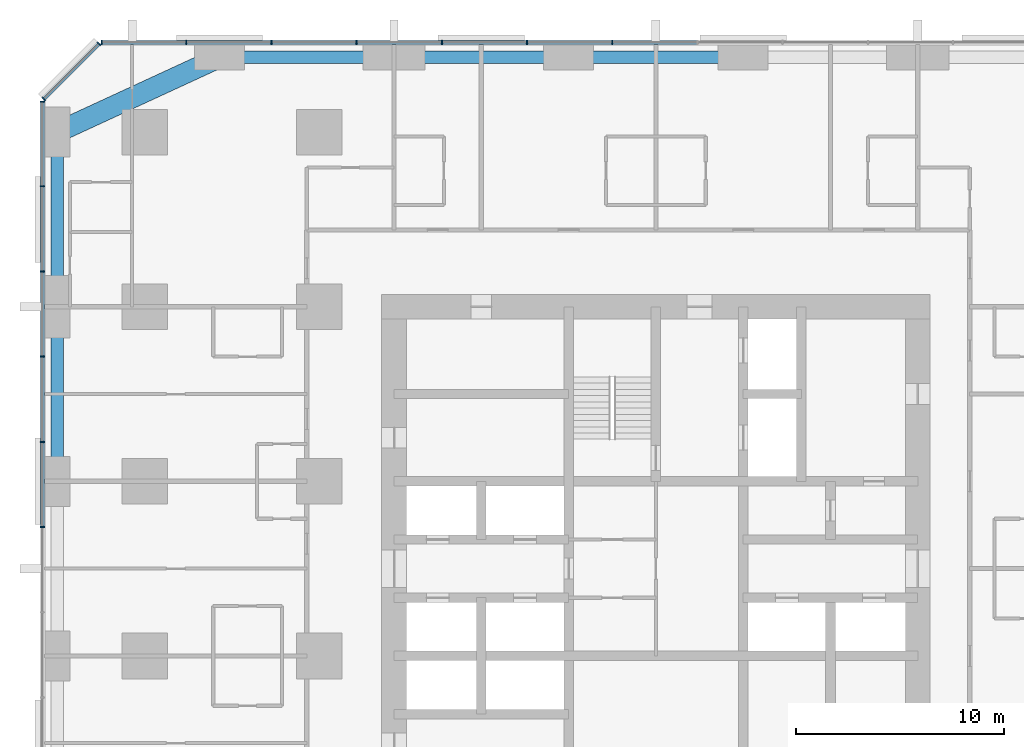
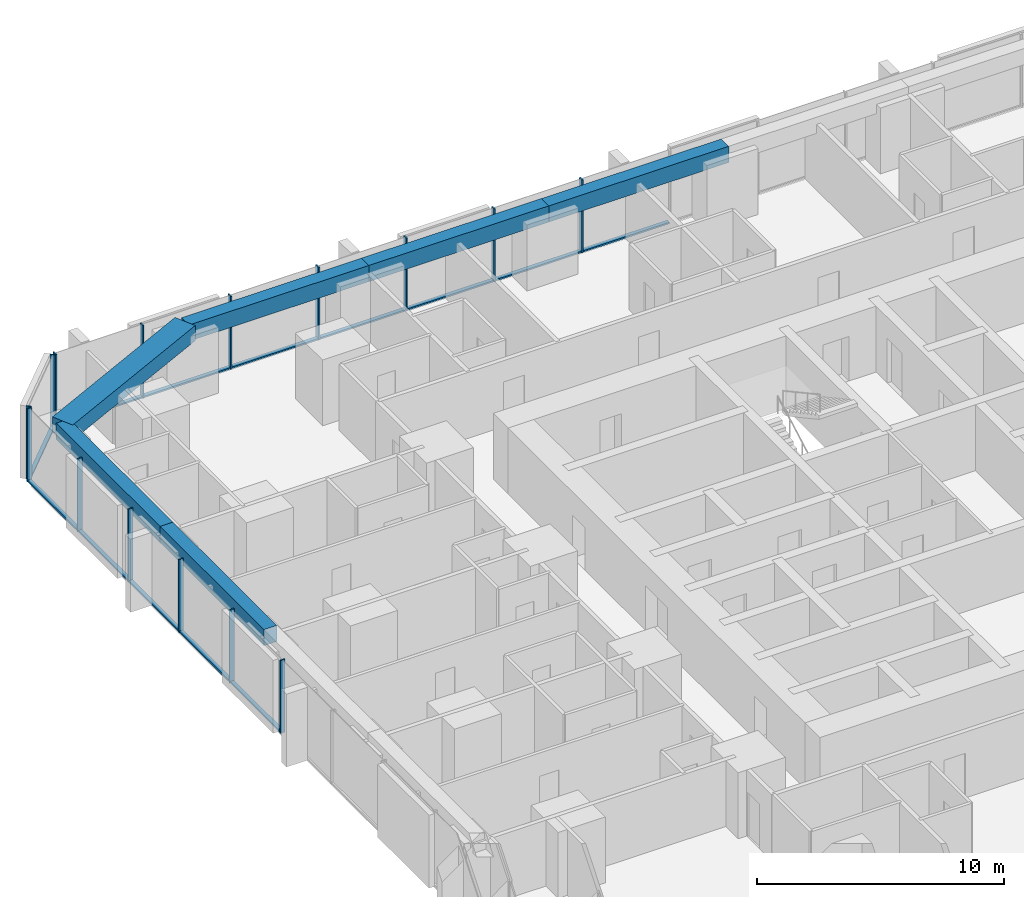
# One storey, part 5 of 13: 28 members, 6 beams, 3 elements without a shape of their own.
"""IFC4 building model written with IfcOpenShell, lengths in metres."""

from ifc_helpers import new_model, si_unit, direction, frame, origin, origin_2d, place, context, subcontext, project, spatial, rectangle, extrude, material, material_profile, profile_set, type_object, element, aggregate, save


model = new_model("IFC4")

# Units and contexts
model_context = context("Model", 3, precision=1e-05, world=origin(), true_north=direction((0.0, 1.0)))
body_context = subcontext(model_context, "Body", "Model", "MODEL_VIEW")
ifc_project = project(units=[si_unit("LENGTHUNIT", "METRE"), si_unit("AREAUNIT", "SQUARE_METRE"), si_unit("VOLUMEUNIT", "CUBIC_METRE"), si_unit("PLANEANGLEUNIT", "RADIAN"), si_unit("MASSUNIT", "GRAM", prefix="KILO")], contexts=[model_context])

# Site, building, storey
site_placement = place(None, origin())
site = spatial("IfcSite", under=ifc_project, at=site_placement, CompositionType="ELEMENT")
building_placement = place(site_placement, origin())
building = spatial("IfcBuilding", under=site, at=building_placement, Name="Dunama Terrace Hotel", CompositionType="ELEMENT")
storey_placement = place(building_placement, frame((0.0, 0.0, 97.199951171875)))
storey = spatial("IfcBuildingStorey", under=building, at=storey_placement, Name="L24", CompositionType="ELEMENT", Elevation=97.199951171875)

# Curtain wall, members
ifc_material_1 = material(Name="Aluminium curtain wall system", Category="aluminium")
curtain_wall_type = type_object("IfcCurtainWallType", Name="Unitised fritted glass wall CW-B", PredefinedType="NOTDEFINED", material=ifc_material_1)
curtain_wall_1_placement = place(storey_placement, origin())
curtain_wall_1 = element("IfcCurtainWall", 1, at=curtain_wall_1_placement, inside=storey, type_object=curtain_wall_type, Name="Unitised fritted glass wall CW-B L24", PredefinedType="NOTDEFINED")
ifc_material_2 = material(Name="Aluminium mullion", Category="aluminium")
ifc_material_profile_1 = material_profile(ifc_material_2, rectangle(XDim=0.06494140625, YDim=0.219970703125, at=origin_2d()), Name="CWB MULLION 65X220")
ifc_profile_set_1 = profile_set([ifc_material_profile_1], Name="Aluminium mullion")
member_type_1 = type_object("IfcMemberType", Name="CWB mullion 65x220", PredefinedType="MULLION", material=ifc_profile_set_1)
member_1_placement = place(storey_placement, frame((27.300048828125, 54.7099609375, 0.0), z_axis=(0.0, 0.0, 1.0), x_axis=(-1.0, 0.0, 0.0)))
member_1 = element("IfcMember", 2, at=member_1_placement, type_object=member_type_1, Name="CWB mullion", PredefinedType="MULLION", context=body_context, shape_type="SweptSolid", body=[
    extrude(rectangle(XDim=0.06494140625, YDim=0.219970703125, at=origin_2d()), origin(), (0.0, 0.0, 1.0), 3.60009765625),
])
member_2_placement = place(storey_placement, frame((23.199951171875, 54.7099609375, 0.0), z_axis=(0.0, 0.0, 1.0), x_axis=(-1.0, 0.0, 0.0)))
member_2 = element("IfcMember", 3, at=member_2_placement, type_object=member_type_1, Name="CWB mullion", PredefinedType="MULLION", context=body_context, shape_type="SweptSolid", body=[
    extrude(rectangle(XDim=0.06494140625, YDim=0.219970703125, at=origin_2d()), origin(), (0.0, 0.0, 1.0), 3.60009765625),
])
member_3_placement = place(storey_placement, frame((19.10009765625, 54.7099609375, 0.0), z_axis=(0.0, 0.0, 1.0), x_axis=(-1.0, 0.0, 0.0)))
member_3 = element("IfcMember", 4, at=member_3_placement, type_object=member_type_1, Name="CWB mullion", PredefinedType="MULLION", context=body_context, shape_type="SweptSolid", body=[
    extrude(rectangle(XDim=0.06494140625, YDim=0.219970703125, at=origin_2d()), origin(), (0.0, 0.0, 1.0), 3.60009765625),
])
member_4_placement = place(storey_placement, frame((15.0, 54.7099609375, 0.0), z_axis=(0.0, 0.0, 1.0), x_axis=(-1.0, 0.0, 0.0)))
member_4 = element("IfcMember", 5, at=member_4_placement, type_object=member_type_1, Name="CWB mullion", PredefinedType="MULLION", context=body_context, shape_type="SweptSolid", body=[
    extrude(rectangle(XDim=0.06494140625, YDim=0.219970703125, at=origin_2d()), origin(), (0.0, 0.0, 1.0), 3.60009765625),
])
member_5_placement = place(storey_placement, frame((10.89990234375, 54.7099609375, 0.0), z_axis=(0.0, 0.0, 1.0), x_axis=(-1.0, 0.0, 0.0)))
member_5 = element("IfcMember", 6, at=member_5_placement, type_object=member_type_1, Name="CWB mullion", PredefinedType="MULLION", context=body_context, shape_type="SweptSolid", body=[
    extrude(rectangle(XDim=0.06494140625, YDim=0.219970703125, at=origin_2d()), origin(), (0.0, 0.0, 1.0), 3.60009765625),
])
member_6_placement = place(storey_placement, frame((6.800048828125, 54.7099609375, 0.0), z_axis=(0.0, 0.0, 1.0), x_axis=(-1.0, 0.0, 0.0)))
member_6 = element("IfcMember", 7, at=member_6_placement, type_object=member_type_1, Name="CWB mullion", PredefinedType="MULLION", context=body_context, shape_type="SweptSolid", body=[
    extrude(rectangle(XDim=0.06494140625, YDim=0.219970703125, at=origin_2d()), origin(), (0.0, 0.0, 1.0), 3.60009765625),
])
member_7_placement = place(storey_placement, frame((2.73291015625, 54.7099609375, 0.0), z_axis=(0.0, 0.0, 1.0), x_axis=(-1.0, 0.0, 0.0)))
member_7 = element("IfcMember", 8, at=member_7_placement, type_object=member_type_1, Name="CWB mullion", PredefinedType="MULLION", context=body_context, shape_type="SweptSolid", body=[
    extrude(rectangle(XDim=0.06494140625, YDim=0.219970703125, at=origin_2d()), origin(), (0.0, 0.0, 1.0), 3.60009765625),
])

curtain_wall_2_placement = place(storey_placement, origin())
curtain_wall_2 = element("IfcCurtainWall", 9, at=curtain_wall_2_placement, inside=storey, type_object=curtain_wall_type, Name="Unitised fritted glass wall CW-B L24", PredefinedType="NOTDEFINED")
member_8_placement = place(storey_placement, frame((2.59912109375, 54.655029296875, 0.0), z_axis=(0.0, 0.0, 1.0), x_axis=(-0.707106781187, -0.707106781187, 0.0)))
member_8 = element("IfcMember", 10, at=member_8_placement, type_object=member_type_1, Name="CWB mullion", PredefinedType="MULLION", context=body_context, shape_type="SweptSolid", body=[
    extrude(rectangle(XDim=0.06494140625, YDim=0.219970703125, at=origin_2d()), origin(), (0.0, 0.0, 1.0), 3.60009765625),
])
member_9_placement = place(storey_placement, frame((-0.054931640625, 52.0009765625, 0.0), z_axis=(0.0, 0.0, 1.0), x_axis=(-0.707106781187, -0.707106781187, 0.0)))
member_9 = element("IfcMember", 11, at=member_9_placement, type_object=member_type_1, Name="CWB mullion", PredefinedType="MULLION", context=body_context, shape_type="SweptSolid", body=[
    extrude(rectangle(XDim=0.06494140625, YDim=0.219970703125, at=origin_2d()), origin(), (0.0, 0.0, 1.0), 3.60009765625),
])

curtain_wall_3_placement = place(storey_placement, origin())
curtain_wall_3 = element("IfcCurtainWall", 12, at=curtain_wall_3_placement, inside=storey, type_object=curtain_wall_type, Name="Unitised fritted glass wall CW-B L24", PredefinedType="NOTDEFINED")
member_10_placement = place(storey_placement, frame((-0.110107421875, 51.866943359375, 0.0), z_axis=(0.0, 0.0, 1.0), x_axis=(0.0, -1.0, 0.0)))
member_10 = element("IfcMember", 13, at=member_10_placement, type_object=member_type_1, Name="CWB mullion", PredefinedType="MULLION", context=body_context, shape_type="SweptSolid", body=[
    extrude(rectangle(XDim=0.06494140625, YDim=0.219970703125, at=origin_2d()), origin(), (0.0, 0.0, 1.0), 3.60009765625),
])
member_11_placement = place(storey_placement, frame((-0.110107421875, 47.800048828125, 0.0), z_axis=(0.0, 0.0, 1.0), x_axis=(0.0, -1.0, 0.0)))
member_11 = element("IfcMember", 14, at=member_11_placement, type_object=member_type_1, Name="CWB mullion", PredefinedType="MULLION", context=body_context, shape_type="SweptSolid", body=[
    extrude(rectangle(XDim=0.06494140625, YDim=0.219970703125, at=origin_2d()), origin(), (0.0, 0.0, 1.0), 3.60009765625),
])
member_12_placement = place(storey_placement, frame((-0.110107421875, 43.699951171875, 0.0), z_axis=(0.0, 0.0, 1.0), x_axis=(0.0, -1.0, 0.0)))
member_12 = element("IfcMember", 15, at=member_12_placement, type_object=member_type_1, Name="CWB mullion", PredefinedType="MULLION", context=body_context, shape_type="SweptSolid", body=[
    extrude(rectangle(XDim=0.06494140625, YDim=0.219970703125, at=origin_2d()), origin(), (0.0, 0.0, 1.0), 3.60009765625),
])
member_13_placement = place(storey_placement, frame((-0.110107421875, 39.60009765625, 0.0), z_axis=(0.0, 0.0, 1.0), x_axis=(0.0, -1.0, 0.0)))
member_13 = element("IfcMember", 16, at=member_13_placement, type_object=member_type_1, Name="CWB mullion", PredefinedType="MULLION", context=body_context, shape_type="SweptSolid", body=[
    extrude(rectangle(XDim=0.06494140625, YDim=0.219970703125, at=origin_2d()), origin(), (0.0, 0.0, 1.0), 3.60009765625),
])
member_14_placement = place(storey_placement, frame((-0.110107421875, 35.5, 0.0), z_axis=(0.0, 0.0, 1.0), x_axis=(0.0, -1.0, 0.0)))
member_14 = element("IfcMember", 17, at=member_14_placement, type_object=member_type_1, Name="CWB mullion", PredefinedType="MULLION", context=body_context, shape_type="SweptSolid", body=[
    extrude(rectangle(XDim=0.06494140625, YDim=0.219970703125, at=origin_2d()), origin(), (0.0, 0.0, 1.0), 3.60009765625),
])
member_15_placement = place(storey_placement, frame((-0.110107421875, 31.39990234375, 0.0), z_axis=(0.0, 0.0, 1.0), x_axis=(0.0, -1.0, 0.0)))
member_15 = element("IfcMember", 18, at=member_15_placement, type_object=member_type_1, Name="CWB mullion", PredefinedType="MULLION", context=body_context, shape_type="SweptSolid", body=[
    extrude(rectangle(XDim=0.06494140625, YDim=0.219970703125, at=origin_2d()), origin(), (0.0, 0.0, 1.0), 3.60009765625),
])

# Member
ifc_material_3 = material(Name="Aluminium transom", Category="aluminium")
ifc_material_profile_2 = material_profile(ifc_material_3, rectangle(XDim=0.179931640625, YDim=0.080078125, at=origin_2d()), Name="CWB TRANSOM 180X80")
ifc_profile_set_2 = profile_set([ifc_material_profile_2], Name="Aluminium transom")
member_type_2 = type_object("IfcMemberType", Name="CWB transom 180x80", PredefinedType="USERDEFINED", material=ifc_profile_set_2)
member_16_placement = place(storey_placement, frame((31.366943359375, 54.7099609375, 0.0400390625), z_axis=(-1.0, 0.0, 0.0), x_axis=(0.0, -1.0, 0.0)))
member_16 = element("IfcMember", 19, at=member_16_placement, type_object=member_type_2, Name="CWB transom", ObjectType="TRANSOM", PredefinedType="USERDEFINED", context=body_context, shape_type="SweptSolid", body=[
    extrude(rectangle(XDim=0.179931640625, YDim=0.080078125, at=origin_2d()), origin(), (0.0, 0.0, 1.0), 4.034912109375),
])

member_17_placement = place(storey_placement, frame((27.26806640625, 54.7099609375, 0.0400390625), z_axis=(-1.0, 0.0, 0.0), x_axis=(0.0, -1.0, 0.0)))
member_17 = element("IfcMember", 20, at=member_17_placement, type_object=member_type_2, Name="CWB transom", ObjectType="TRANSOM", PredefinedType="USERDEFINED", context=body_context, shape_type="SweptSolid", body=[
    extrude(rectangle(XDim=0.179931640625, YDim=0.080078125, at=origin_2d()), origin(), (0.0, 0.0, 1.0), 4.03515625),
])

member_18_placement = place(storey_placement, frame((23.16796875, 54.7099609375, 0.0400390625), z_axis=(-1.0, 0.0, 0.0), x_axis=(0.0, -1.0, 0.0)))
member_18 = element("IfcMember", 21, at=member_18_placement, type_object=member_type_2, Name="CWB transom", ObjectType="TRANSOM", PredefinedType="USERDEFINED", context=body_context, shape_type="SweptSolid", body=[
    extrude(rectangle(XDim=0.179931640625, YDim=0.080078125, at=origin_2d()), origin(), (0.0, 0.0, 1.0), 4.034912109375),
])

member_19_placement = place(storey_placement, frame((19.068115234375, 54.7099609375, 0.0400390625), z_axis=(-1.0, 0.0, 0.0), x_axis=(0.0, -1.0, 0.0)))
member_19 = element("IfcMember", 22, at=member_19_placement, type_object=member_type_2, Name="CWB transom", ObjectType="TRANSOM", PredefinedType="USERDEFINED", context=body_context, shape_type="SweptSolid", body=[
    extrude(rectangle(XDim=0.179931640625, YDim=0.080078125, at=origin_2d()), origin(), (0.0, 0.0, 1.0), 4.0361328125),
])

member_20_placement = place(storey_placement, frame((14.968017578125, 54.7099609375, 0.0400390625), z_axis=(-1.0, 0.0, 0.0), x_axis=(0.0, -1.0, 0.0)))
member_20 = element("IfcMember", 23, at=member_20_placement, type_object=member_type_2, Name="CWB transom", ObjectType="TRANSOM", PredefinedType="USERDEFINED", context=body_context, shape_type="SweptSolid", body=[
    extrude(rectangle(XDim=0.179931640625, YDim=0.080078125, at=origin_2d()), origin(), (0.0, 0.0, 1.0), 4.0361328125),
])

member_21_placement = place(storey_placement, frame((10.866943359375, 54.7099609375, 0.0400390625), z_axis=(-1.0, 0.0, 0.0), x_axis=(0.0, -1.0, 0.0)))
member_21 = element("IfcMember", 24, at=member_21_placement, type_object=member_type_2, Name="CWB transom", ObjectType="TRANSOM", PredefinedType="USERDEFINED", context=body_context, shape_type="SweptSolid", body=[
    extrude(rectangle(XDim=0.179931640625, YDim=0.080078125, at=origin_2d()), origin(), (0.0, 0.0, 1.0), 4.033935546875),
])

member_22_placement = place(storey_placement, frame((6.76806640625, 54.7099609375, 0.0400390625), z_axis=(-1.0, 0.0, 0.0), x_axis=(0.0, -1.0, 0.0)))
member_22 = element("IfcMember", 25, at=member_22_placement, type_object=member_type_2, Name="CWB transom", ObjectType="TRANSOM", PredefinedType="USERDEFINED", context=body_context, shape_type="SweptSolid", body=[
    extrude(rectangle(XDim=0.179931640625, YDim=0.080078125, at=origin_2d()), origin(), (0.0, 0.0, 1.0), 4.003173828125),
])

aggregate(curtain_wall_1, [member_1, member_2, member_3, member_4, member_5, member_6, member_7, member_16, member_17, member_18, member_19, member_20, member_21, member_22])

member_23_placement = place(storey_placement, frame((2.575927734375, 54.632080078125, 0.0400390625), z_axis=(-0.707073683909, -0.707139876915, 0.0), x_axis=(0.707139876915, -0.707073683909, 0.0)))
member_23 = element("IfcMember", 26, at=member_23_placement, type_object=member_type_2, Name="CWB transom", ObjectType="TRANSOM", PredefinedType="USERDEFINED", context=body_context, shape_type="SweptSolid", body=[
    extrude(rectangle(XDim=0.179931640625, YDim=0.080078125, at=origin_2d()), origin(), (0.0, 0.0, 1.0), 3.688232421875),
])

aggregate(curtain_wall_2, [member_8, member_9, member_23])

member_24_placement = place(storey_placement, frame((-0.110107421875, 51.8349609375, 0.0400390625), z_axis=(0.0, -1.0, 0.0), x_axis=(1.0, 0.0, 0.0)))
member_24 = element("IfcMember", 27, at=member_24_placement, type_object=member_type_2, Name="CWB transom", ObjectType="TRANSOM", PredefinedType="USERDEFINED", context=body_context, shape_type="SweptSolid", body=[
    extrude(rectangle(XDim=0.179931640625, YDim=0.080078125, at=origin_2d()), origin(), (0.0, 0.0, 1.0), 4.0029296875),
])

member_25_placement = place(storey_placement, frame((-0.110107421875, 47.76708984375, 0.0400390625), z_axis=(0.0, -1.0, 0.0), x_axis=(1.0, 0.0, 0.0)))
member_25 = element("IfcMember", 28, at=member_25_placement, type_object=member_type_2, Name="CWB transom", ObjectType="TRANSOM", PredefinedType="USERDEFINED", context=body_context, shape_type="SweptSolid", body=[
    extrude(rectangle(XDim=0.179931640625, YDim=0.080078125, at=origin_2d()), origin(), (0.0, 0.0, 1.0), 4.0341796875),
])

member_26_placement = place(storey_placement, frame((-0.110107421875, 43.6669921875, 0.0400390625), z_axis=(0.0, -1.0, 0.0), x_axis=(1.0, 0.0, 0.0)))
member_26 = element("IfcMember", 29, at=member_26_placement, type_object=member_type_2, Name="CWB transom", ObjectType="TRANSOM", PredefinedType="USERDEFINED", context=body_context, shape_type="SweptSolid", body=[
    extrude(rectangle(XDim=0.179931640625, YDim=0.080078125, at=origin_2d()), origin(), (0.0, 0.0, 1.0), 4.033935546875),
])

member_27_placement = place(storey_placement, frame((-0.110107421875, 39.56689453125, 0.0400390625), z_axis=(0.0, -1.0, 0.0), x_axis=(1.0, 0.0, 0.0)))
member_27 = element("IfcMember", 30, at=member_27_placement, type_object=member_type_2, Name="CWB transom", ObjectType="TRANSOM", PredefinedType="USERDEFINED", context=body_context, shape_type="SweptSolid", body=[
    extrude(rectangle(XDim=0.179931640625, YDim=0.080078125, at=origin_2d()), origin(), (0.0, 0.0, 1.0), 4.034912109375),
])

member_28_placement = place(storey_placement, frame((-0.110107421875, 35.468017578125, 0.0400390625), z_axis=(0.0, -1.0, 0.0), x_axis=(1.0, 0.0, 0.0)))
member_28 = element("IfcMember", 31, at=member_28_placement, type_object=member_type_2, Name="CWB transom", ObjectType="TRANSOM", PredefinedType="USERDEFINED", context=body_context, shape_type="SweptSolid", body=[
    extrude(rectangle(XDim=0.179931640625, YDim=0.080078125, at=origin_2d()), origin(), (0.0, 0.0, 1.0), 4.0361328125),
])

aggregate(curtain_wall_3, [member_10, member_11, member_12, member_13, member_14, member_15, member_24, member_25, member_26, member_27, member_28])

# Beams
ifc_material_4 = material(Name="Concrete C50/60", Category="concrete")
ifc_material_profile_3 = material_profile(ifc_material_4, rectangle(XDim=1.0, YDim=0.75, at=origin_2d()), Name="RC 1000x750")
ifc_profile_set_3 = profile_set([ifc_material_profile_3], Name="Concrete C50/60")
beam_type_1 = type_object("IfcBeamType", Name="Edge beam RC 1000x750", PredefinedType="SPANDREL", material=ifc_profile_set_3)
beam_1_placement = place(storey_placement, frame((8.39990234375, 54.0, 3.22509765625), z_axis=(-0.907951066374, -0.419076199598, 0.0), x_axis=(0.419076199598, -0.907951066374, 0.0)))
element("IfcBeam", 32, at=beam_1_placement, inside=storey, type_object=beam_type_1, Name="Corner edge beam under L25", PredefinedType="SPANDREL", context=body_context, shape_type="SweptSolid", body=[
    extrude(rectangle(XDim=1.0, YDim=0.75, at=origin_2d()), origin(), (0.0, 0.0, 1.0), 8.590576171875),
])
ifc_material_5 = material(Name="Concrete C40/50", Category="concrete")
ifc_material_profile_4 = material_profile(ifc_material_5, rectangle(XDim=0.60009765625, YDim=0.800048828125, at=origin_2d()), Name="RC 600x800")
ifc_profile_set_4 = profile_set([ifc_material_profile_4], Name="Concrete C40/50")
beam_type_2 = type_object("IfcBeamType", Name="Edge beam RC 600x800", PredefinedType="SPANDREL", material=ifc_profile_set_4)
for number, where, z_axis, x_axis, name in (
    (33, (0.60009765625, 33.60009765625, 3.199951171875), (0.0, 1.0, 0.0), (-1.0, 0.0, 0.0), "Edge beam under L25"),
    (34, (0.60009765625, 42.0, 3.199951171875), (0.0, 1.0, 0.0), (-1.0, 0.0, 0.0), "Edge beam under L25"),
):
    element("IfcBeam", number, at=place(storey_placement, frame(where, z_axis=z_axis, x_axis=x_axis)), inside=storey, type_object=beam_type_2, Name=name, PredefinedType="SPANDREL", context=body_context, shape_type="SweptSolid", body=[
        extrude(rectangle(XDim=0.60009765625, YDim=0.800048828125, at=origin_2d()), origin(), (0.0, 0.0, 1.0), 8.39990234375),
    ])
beam_2_placement = place(storey_placement, frame((8.39990234375, 54.0, 3.199951171875), z_axis=(1.0, 0.0, 0.0), x_axis=(0.0, 1.0, 0.0)))
element("IfcBeam", 35, at=beam_2_placement, inside=storey, type_object=beam_type_2, Name="Edge beam under L25", PredefinedType="SPANDREL", context=body_context, shape_type="SweptSolid", body=[
    extrude(rectangle(XDim=0.60009765625, YDim=0.800048828125, at=origin_2d()), origin(), (0.0, 0.0, 1.0), 8.400146484375),
])
beam_3_placement = place(storey_placement, frame((16.800048828125, 54.0, 3.199951171875), z_axis=(1.0, 0.0, 0.0), x_axis=(0.0, 1.0, 0.0)))
element("IfcBeam", 36, at=beam_3_placement, inside=storey, type_object=beam_type_2, Name="Edge beam under L25", PredefinedType="SPANDREL", context=body_context, shape_type="SweptSolid", body=[
    extrude(rectangle(XDim=0.60009765625, YDim=0.800048828125, at=origin_2d()), origin(), (0.0, 0.0, 1.0), 8.39990234375),
])
beam_4_placement = place(storey_placement, frame((25.199951171875, 54.0, 3.199951171875), z_axis=(1.0, 0.0, 0.0), x_axis=(0.0, 1.0, 0.0)))
element("IfcBeam", 37, at=beam_4_placement, inside=storey, type_object=beam_type_2, Name="Edge beam under L25", PredefinedType="SPANDREL", context=body_context, shape_type="SweptSolid", body=[
    extrude(rectangle(XDim=0.60009765625, YDim=0.800048828125, at=origin_2d()), origin(), (0.0, 0.0, 1.0), 8.400146484375),
])

save(model, "model.ifc")
